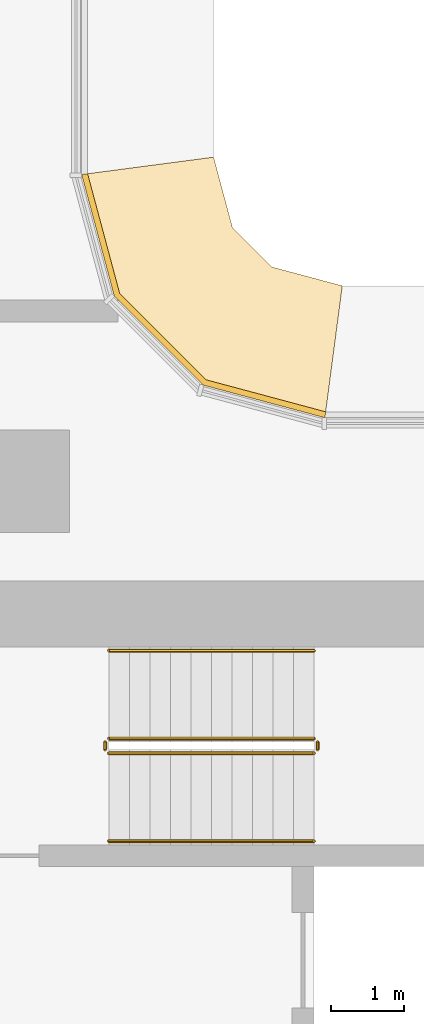
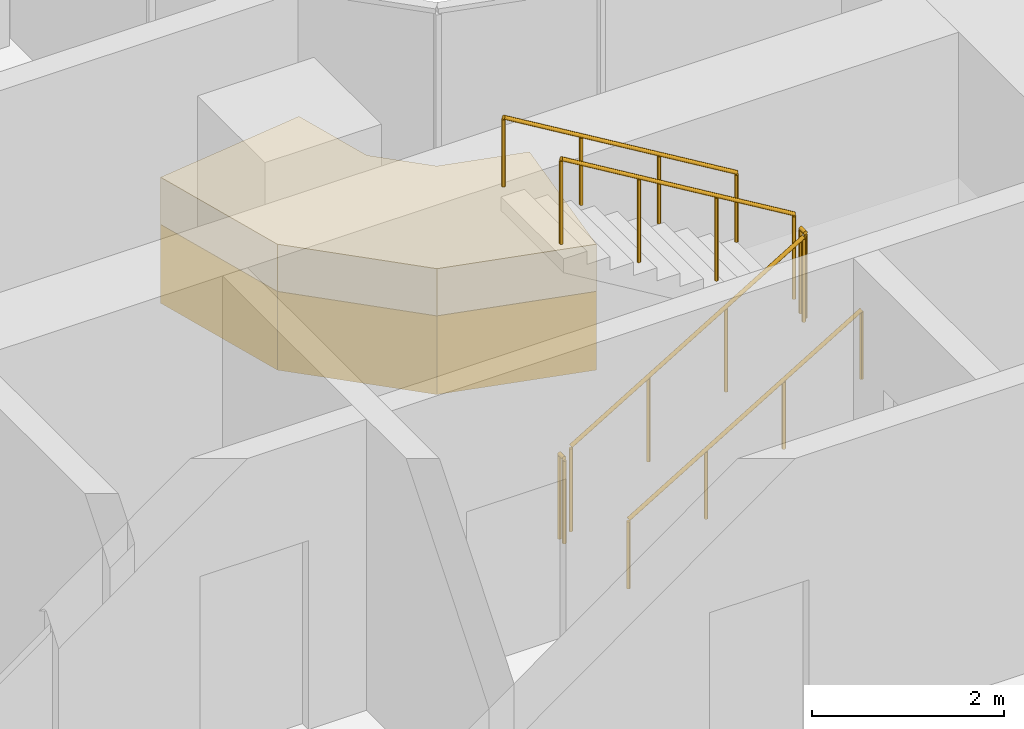
# One storey, part 29 of 36: 6 railings, 2 coverings.
"""IFC4 building model written with IfcOpenShell, lengths in metres."""

from ifc_helpers import new_model, si_unit, direction, frame, origin, origin_2d, place, context, subcontext, project, spatial, polyline, circle, outline, extrude, material, layer, layer_set, type_object, element, save


model = new_model("IFC4")

# Units and contexts
model_context = context("Model", 3, precision=1e-05, world=origin(), true_north=direction((0.0, 1.0)))
body_context = subcontext(model_context, "Body", "Model", "MODEL_VIEW")
ifc_project = project(units=[si_unit("LENGTHUNIT", "METRE"), si_unit("AREAUNIT", "SQUARE_METRE"), si_unit("VOLUMEUNIT", "CUBIC_METRE"), si_unit("PLANEANGLEUNIT", "RADIAN"), si_unit("MASSUNIT", "GRAM", prefix="KILO")], contexts=[model_context])

# Site, building, storey
site_placement = place(None, origin())
site = spatial("IfcSite", under=ifc_project, at=site_placement, CompositionType="ELEMENT")
building_placement = place(site_placement, origin())
building = spatial("IfcBuilding", under=site, at=building_placement, Name="Ogive Portal Towers", CompositionType="ELEMENT")
storey_placement = place(building_placement, frame((0.0, 0.0, 63.10009765625)))
storey = spatial("IfcBuildingStorey", under=building, at=storey_placement, Name="L14", CompositionType="ELEMENT", Elevation=63.10009765625)

# Railings
ifc_material_1 = material(Name="Stainless steel balustrade", Category="steel")
railing_type_1 = type_object("IfcRailingType", Name="INT-GUARD", PredefinedType="GUARDRAIL", material=ifc_material_1)
railing_1_placement = place(storey_placement, frame((52.550048828125, 37.60009765625, 0.16796875)))
element("IfcRailing", 1, at=railing_1_placement, inside=storey, type_object=railing_type_1, Name="L14 ST-A2 stair guard 1", PredefinedType="GUARDRAIL", context=body_context, shape_type="SweptSolid", body=[
    extrude(circle(Radius=0.02392578125, at=origin_2d()), frame((0.0, 0.0, 1.076171875), z_axis=(0.857242210791, 0.0, 0.514913383045), x_axis=(0.0, 1.0, 0.0)), (0.0, 0.0, 1.0), 3.266357421875),
    extrude(circle(Radius=0.02099609375, at=origin_2d()), origin(), (0.0, 0.0, 1.0), 1.052001953125),
    extrude(circle(Radius=0.02099609375, at=origin_2d()), frame((0.933349609375, 0.0, 0.560546875)), (0.0, 0.0, 1.0), 1.052001953125),
    extrude(circle(Radius=0.02099609375, at=origin_2d()), frame((1.86669921875, 0.0, 1.121337890625)), (0.0, 0.0, 1.0), 1.052001953125),
    extrude(circle(Radius=0.02099609375, at=origin_2d()), frame((2.800048828125, 0.0, 1.681884765625)), (0.0, 0.0, 1.0), 1.052001953125),
])
railing_2_placement = place(storey_placement, frame((55.39990234375, 37.64990234375, 1.849853515625)))
element("IfcRailing", 2, at=railing_2_placement, inside=storey, type_object=railing_type_1, Name="L14 ST-A2 stair guard 2", PredefinedType="GUARDRAIL", context=body_context, shape_type="SweptSolid", body=[
    extrude(circle(Radius=0.02392578125, at=origin_2d()), frame((0.0, 0.0, 1.076171875), z_axis=(0.0, 1.0, 0.0), x_axis=(-1.0, 0.0, 0.0)), (0.0, 0.0, 1.0), 0.10009765625),
    extrude(circle(Radius=0.02099609375, at=origin_2d()), origin(), (0.0, 0.0, 1.0), 1.052001953125),
    extrude(circle(Radius=0.02099609375, at=origin_2d()), frame((0.0, 0.10009765625, 0.0)), (0.0, 0.0, 1.0), 1.052001953125),
])
railing_3_placement = place(storey_placement, frame((55.35009765625, 37.800048828125, 2.01806640625)))
element("IfcRailing", 3, at=railing_3_placement, inside=storey, type_object=railing_type_1, Name="L14 ST-A2 stair guard 3", PredefinedType="GUARDRAIL", context=body_context, shape_type="SweptSolid", body=[
    extrude(circle(Radius=0.02392578125, at=origin_2d()), frame((0.0, 0.0, 1.076171875), z_axis=(-0.857242210791, 0.0, 0.514913383045), x_axis=(0.0, -1.0, 0.0)), (0.0, 0.0, 1.0), 3.266357421875),
    extrude(circle(Radius=0.02099609375, at=origin_2d()), origin(), (0.0, 0.0, 1.0), 1.052001953125),
    extrude(circle(Radius=0.02099609375, at=origin_2d()), frame((-0.933349609375, 0.0, 0.560546875)), (0.0, 0.0, 1.0), 1.052001953125),
    extrude(circle(Radius=0.02099609375, at=origin_2d()), frame((-1.86669921875, 0.0, 1.121337890625)), (0.0, 0.0, 1.0), 1.052001953125),
    extrude(circle(Radius=0.02099609375, at=origin_2d()), frame((-2.800048828125, 0.0, 1.681884765625)), (0.0, 0.0, 1.0), 1.052001953125),
])
railing_4_placement = place(storey_placement, frame((52.5, 37.64990234375, 0.0)))
element("IfcRailing", 4, at=railing_4_placement, inside=storey, type_object=railing_type_1, Name="L14 ST-A2 stair guard 4", PredefinedType="GUARDRAIL", context=body_context, shape_type="SweptSolid", body=[
    extrude(circle(Radius=0.02392578125, at=origin_2d()), frame((0.0, 0.0, 1.076171875), z_axis=(0.0, 1.0, 0.0), x_axis=(-1.0, 0.0, 0.0)), (0.0, 0.0, 1.0), 0.10009765625),
    extrude(circle(Radius=0.02099609375, at=origin_2d()), origin(), (0.0, 0.0, 1.0), 1.052001953125),
    extrude(circle(Radius=0.02099609375, at=origin_2d()), frame((0.0, 0.10009765625, 0.0)), (0.0, 0.0, 1.0), 1.052001953125),
])
ifc_material_2 = material(Name="Stainless steel handrail", Category="steel")
railing_type_2 = type_object("IfcRailingType", Name="INT-HANDRAIL", PredefinedType="HANDRAIL", material=ifc_material_2)
railing_5_placement = place(storey_placement, frame((52.550048828125, 36.39990234375, 0.16796875)))
element("IfcRailing", 5, at=railing_5_placement, inside=storey, type_object=railing_type_2, Name="L14 ST-A2 stair handrail 1", PredefinedType="HANDRAIL", context=body_context, shape_type="SweptSolid", body=[
    extrude(circle(Radius=0.02392578125, at=origin_2d()), frame((0.0, 0.0, 0.8759765625), z_axis=(0.857242210791, 0.0, 0.514913383045), x_axis=(0.0, 1.0, 0.0)), (0.0, 0.0, 1.0), 3.266357421875),
    extrude(circle(Radius=0.02099609375, at=origin_2d()), origin(), (0.0, 0.0, 1.0), 0.851806640625),
    extrude(circle(Radius=0.02099609375, at=origin_2d()), frame((0.933349609375, 0.0, 0.560546875)), (0.0, 0.0, 1.0), 0.851806640625),
    extrude(circle(Radius=0.02099609375, at=origin_2d()), frame((1.86669921875, 0.0, 1.121337890625)), (0.0, 0.0, 1.0), 0.851806640625),
    extrude(circle(Radius=0.02099609375, at=origin_2d()), frame((2.800048828125, 0.0, 1.681884765625)), (0.0, 0.0, 1.0), 0.851806640625),
])
railing_6_placement = place(storey_placement, frame((55.35009765625, 39.0, 2.01806640625)))
element("IfcRailing", 6, at=railing_6_placement, inside=storey, type_object=railing_type_2, Name="L14 ST-A2 stair handrail 2", PredefinedType="HANDRAIL", context=body_context, shape_type="SweptSolid", body=[
    extrude(circle(Radius=0.02392578125, at=origin_2d()), frame((0.0, 0.0, 0.8759765625), z_axis=(-0.857242210791, 0.0, 0.514913383045), x_axis=(0.0, -1.0, 0.0)), (0.0, 0.0, 1.0), 3.266357421875),
    extrude(circle(Radius=0.02099609375, at=origin_2d()), origin(), (0.0, 0.0, 1.0), 0.851806640625),
    extrude(circle(Radius=0.02099609375, at=origin_2d()), frame((-0.933349609375, 0.0, 0.560546875)), (0.0, 0.0, 1.0), 0.851806640625),
    extrude(circle(Radius=0.02099609375, at=origin_2d()), frame((-1.86669921875, 0.0, 1.121337890625)), (0.0, 0.0, 1.0), 0.851806640625),
    extrude(circle(Radius=0.02099609375, at=origin_2d()), frame((-2.800048828125, 0.0, 1.681884765625)), (0.0, 0.0, 1.0), 0.851806640625),
])

# Coverings
ifc_material_3 = material(Name="Limestone cladding on lightweight block wall", Category="masonry")
ifc_layer_1 = layer(ifc_material_3, 0.080078125)
ifc_layer_set_1 = layer_set([ifc_layer_1], Name="STONE SPANDREL 80")
covering_type_1 = type_object("IfcCoveringType", Name="STONE SPANDREL 80", PredefinedType="CLADDING", material=ifc_layer_set_1)
covering_1_placement = place(storey_placement, frame((0.0, 0.0, -1.60009765625)))
element("IfcCovering", 7, at=covering_1_placement, inside=storey, type_object=covering_type_1, Name="Stone spandrel A1-F10", PredefinedType="CLADDING", context=body_context, shape_type="SweptSolid", body=[
    extrude(outline(polyline([(55.5, 42.179931640625), (53.840087890625, 42.624755859375), (52.624755859375, 43.840087890625), (52.179931640625, 45.5), (52.260009765625, 45.510498046875), (52.696533203125, 43.88134765625), (53.88134765625, 42.696533203125), (55.510498046875, 42.260009765625), (55.5, 42.179931640625)])), origin(), (0.0, 0.0, 1.0), 1.0),
])
ifc_layer_2 = layer(ifc_material_3, 0.60009765625)
ifc_layer_set_2 = layer_set([ifc_layer_2], Name="SUNSHADE LIP 600")
covering_type_2 = type_object("IfcCoveringType", Name="SUNSHADE LIP 600", PredefinedType="CLADDING", material=ifc_layer_set_2)
covering_2_placement = place(storey_placement, frame((0.0, 0.0, -0.60009765625)))
element("IfcCovering", 8, at=covering_2_placement, inside=storey, type_object=covering_type_2, Name="Sunshade lip A1-F10", PredefinedType="CLADDING", context=body_context, shape_type="SweptSolid", body=[
    extrude(outline(polyline([(55.5, 42.179931640625), (53.840087890625, 42.624755859375), (52.624755859375, 43.840087890625), (52.179931640625, 45.5), (53.97998046875, 45.737060546875), (54.238525390625, 44.771728515625), (54.771728515625, 44.238525390625), (55.737060546875, 43.97998046875), (55.5, 42.179931640625)])), origin(), (0.0, 0.0, 1.0), 0.60009765625),
])

save(model, "model.ifc")
